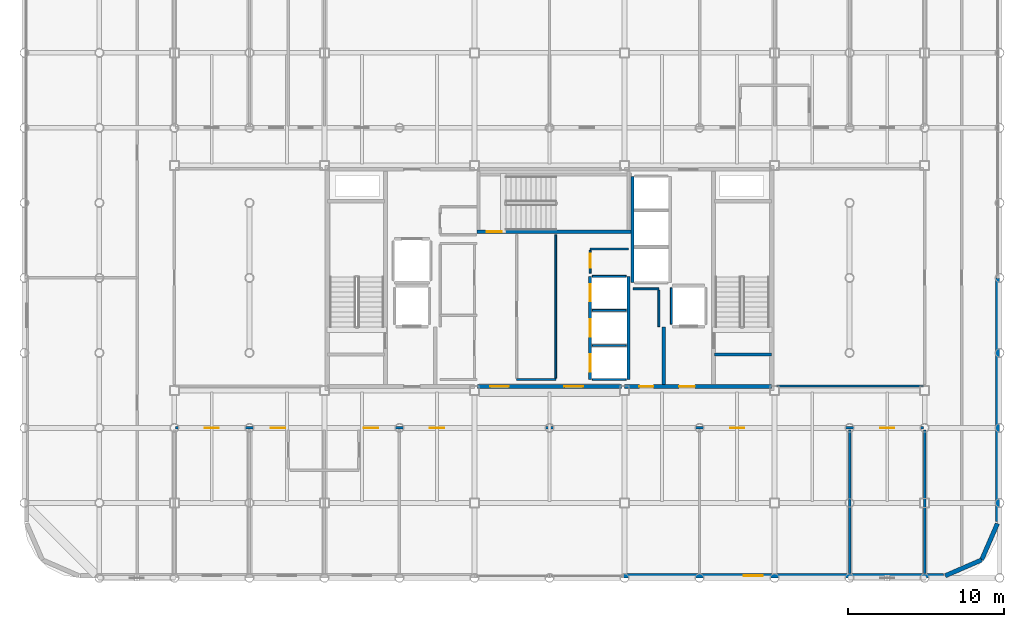
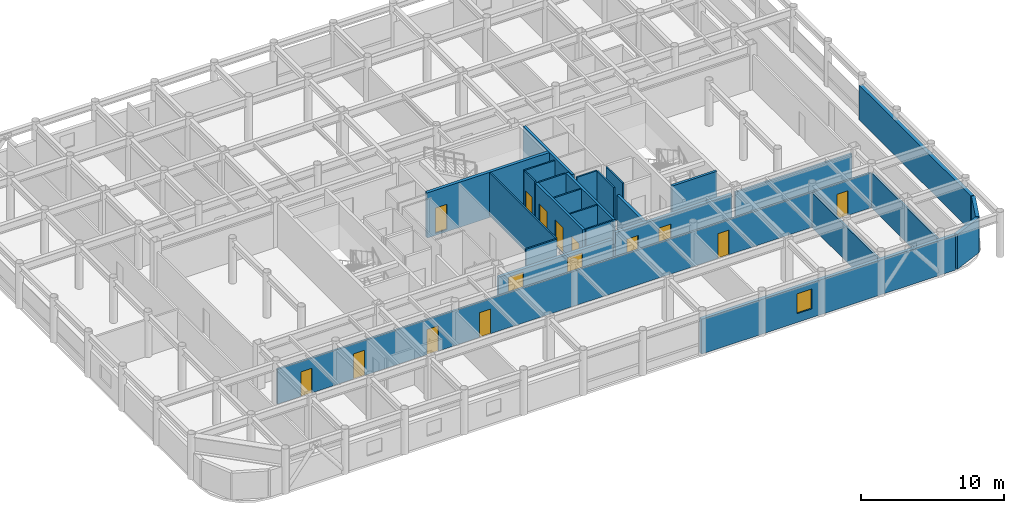
# One storey, part 19 of 22: 27 walls, 15 doors, 1 window, 16 openings.
"""IFC4 building model written with IfcOpenShell, lengths in metres."""

from ifc_helpers import new_model, si_unit, direction, frame, frame_2d, origin, place, context, subcontext, project, spatial, rectangle, extrude, material, layer, layer_set, type_object, element, fill, save


model = new_model("IFC4")

# Units and contexts
model_context = context("Model", 3, precision=1e-05, world=origin(), true_north=direction((0.0, 1.0)))
body_context = subcontext(model_context, "Body", "Model", "MODEL_VIEW")
ifc_project = project(units=[si_unit("LENGTHUNIT", "METRE"), si_unit("AREAUNIT", "SQUARE_METRE"), si_unit("VOLUMEUNIT", "CUBIC_METRE"), si_unit("PLANEANGLEUNIT", "RADIAN"), si_unit("MASSUNIT", "GRAM", prefix="KILO")], contexts=[model_context])

# Site, building, storey
site_placement = place(None, origin())
site = spatial("IfcSite", under=ifc_project, at=site_placement, CompositionType="ELEMENT")
building_placement = place(site_placement, origin())
building = spatial("IfcBuilding", under=site, at=building_placement, Name="Kallvorn Hotel Tower", CompositionType="ELEMENT")
storey_placement = place(building_placement, frame((0.0, 0.0, 264.64990234375)))
storey = spatial("IfcBuildingStorey", under=building, at=storey_placement, Name="L66", CompositionType="ELEMENT", Elevation=264.64990234375)

# Wall, openings, doors
ifc_material_1 = material(Name="Fire-rated double-layer acoustic gypsum drywall EI 60")
ifc_layer_1 = layer(ifc_material_1, 0.159912109375)
ifc_layer_set_1 = layer_set([ifc_layer_1], Name="WL_DEMISE_160")
wall_type_1 = type_object("IfcWallType", Name="WL_DEMISE_160", PredefinedType="PARTITIONING", material=ifc_layer_set_1)
wall_1_placement = place(storey_placement, frame((-23.919921875, -9.60009765625, 0.0), z_axis=(0.0, 0.0, 1.0), x_axis=(1.0, 0.0, 0.0)))
wall_1 = element("IfcWall", 1, at=wall_1_placement, inside=storey, type_object=wall_type_1, Name="L66 Suite 6601 Superior Twin Room Partition", PredefinedType="PARTITIONING", context=body_context, shape_type="SweptSolid", body=[
    extrude(rectangle(XDim=47.83984375, YDim=0.159912109375, at=frame_2d((23.919921875, 0.0))), origin(), (0.0, 0.0, 1.0), 2.97021484375),
])
opening_1_placement = place(wall_1_placement, frame((1.8701171875, 0.0, 0.0)))
opening_1 = element("IfcOpeningElement", 2, at=opening_1_placement, cuts=wall_1, Name="Opening SVD1", PredefinedType="OPENING", context=body_context, shape_type="SweptSolid", body=[
    extrude(rectangle(XDim=0.89990234375, YDim=2.10009765625, at=frame_2d((0.449951171875, 1.050048828125))), frame((0.0, 0.094970703125, 0.0), z_axis=(0.0, -1.0, 0.0), x_axis=(1.0, 0.0, 0.0)), (0.0, 0.0, 1.0), 0.18994140625),
])
opening_2_placement = place(wall_1_placement, frame((45.070068359375, 0.0, 0.0)))
opening_2 = element("IfcOpeningElement", 3, at=opening_2_placement, cuts=wall_1, Name="Opening SVD1", PredefinedType="OPENING", context=body_context, shape_type="SweptSolid", body=[
    extrude(rectangle(XDim=0.89990234375, YDim=2.10009765625, at=frame_2d((0.449951171875, 1.050048828125))), frame((0.0, 0.094970703125, 0.0), z_axis=(0.0, -1.0, 0.0), x_axis=(1.0, 0.0, 0.0)), (0.0, 0.0, 1.0), 0.18994140625),
])
opening_3_placement = place(wall_1_placement, frame((6.090087890625, 0.0, 0.0)))
opening_3 = element("IfcOpeningElement", 4, at=opening_3_placement, cuts=wall_1, Name="Opening GD1", PredefinedType="OPENING", context=body_context, shape_type="SweptSolid", body=[
    extrude(rectangle(XDim=0.919921875, YDim=2.14990234375, at=frame_2d((0.4599609375, 1.074951171875))), frame((0.0, 0.094970703125, 0.0), z_axis=(0.0, -1.0, 0.0), x_axis=(1.0, 0.0, 0.0)), (0.0, 0.0, 1.0), 0.18994140625),
])
opening_4_placement = place(wall_1_placement, frame((12.030029296875, 0.0, 0.0)))
opening_4 = element("IfcOpeningElement", 5, at=opening_4_placement, cuts=wall_1, Name="Opening GD1", PredefinedType="OPENING", context=body_context, shape_type="SweptSolid", body=[
    extrude(rectangle(XDim=0.919921875, YDim=2.14990234375, at=frame_2d((0.4599609375, 1.074951171875))), frame((0.0, 0.094970703125, 0.0), z_axis=(0.0, -1.0, 0.0), x_axis=(1.0, 0.0, 0.0)), (0.0, 0.0, 1.0), 0.18994140625),
])
opening_5_placement = place(wall_1_placement, frame((16.27001953125, 0.0, 0.0)))
opening_5 = element("IfcOpeningElement", 6, at=opening_5_placement, cuts=wall_1, Name="Opening SVD1", PredefinedType="OPENING", context=body_context, shape_type="SweptSolid", body=[
    extrude(rectangle(XDim=0.89990234375, YDim=2.10009765625, at=frame_2d((0.449951171875, 1.050048828125))), frame((0.0, 0.094970703125, 0.0), z_axis=(0.0, -1.0, 0.0), x_axis=(1.0, 0.0, 0.0)), (0.0, 0.0, 1.0), 0.18994140625),
])
opening_6_placement = place(wall_1_placement, frame((35.469970703125, 0.0, 0.0)))
opening_6 = element("IfcOpeningElement", 7, at=opening_6_placement, cuts=wall_1, Name="Opening SVD1", PredefinedType="OPENING", context=body_context, shape_type="SweptSolid", body=[
    extrude(rectangle(XDim=0.89990234375, YDim=2.10009765625, at=frame_2d((0.449951171875, 1.050048828125))), frame((0.0, 0.094970703125, 0.0), z_axis=(0.0, -1.0, 0.0), x_axis=(1.0, 0.0, 0.0)), (0.0, 0.0, 1.0), 0.18994140625),
])
ifc_material_2 = material(Name="Solid-core walnut veneer fire-rated timber door leaf", Category="wood")
door_type_1 = type_object("IfcDoorType", Name="DR_GUEST_920x2150", OperationType="NOTDEFINED", PredefinedType="DOOR", material=ifc_material_2)
door_1_placement = place(opening_3_placement, origin())
door_1 = element("IfcDoor", 8, at=door_1_placement, inside=storey, type_object=door_type_1, Name="L66 Suite 6601 Superior Twin Room Door", OperationType="SINGLE_SWING_LEFT", OverallHeight=2.14990234375, OverallWidth=0.919921875, PredefinedType="DOOR", context=body_context, shape_type="SweptSolid", body=[
    extrude(rectangle(XDim=0.919921875, YDim=2.14990234375, at=frame_2d((0.4599609375, 1.074951171875))), frame((0.0, 0.02490234375, 0.0), z_axis=(0.0, -1.0, 0.0), x_axis=(1.0, 0.0, 0.0)), (0.0, 0.0, 1.0), 0.050048828125),
])
fill(opening_3, door_1)
door_2_placement = place(opening_4_placement, origin())
door_2 = element("IfcDoor", 9, at=door_2_placement, inside=storey, type_object=door_type_1, Name="L66 Suite 6602 Superior Twin Room Door", OperationType="SINGLE_SWING_RIGHT", OverallHeight=2.14990234375, OverallWidth=0.919921875, PredefinedType="DOOR", context=body_context, shape_type="SweptSolid", body=[
    extrude(rectangle(XDim=0.919921875, YDim=2.14990234375, at=frame_2d((0.4599609375, 1.074951171875))), frame((0.0, 0.02490234375, 0.0), z_axis=(0.0, -1.0, 0.0), x_axis=(1.0, 0.0, 0.0)), (0.0, 0.0, 1.0), 0.050048828125),
])
fill(opening_4, door_2)
ifc_material_3 = material(Name="Galvanised painted steel fire-rated door assembly", Category="steel")
door_type_2 = type_object("IfcDoorType", Name="DR_SERV_900x2100", OperationType="NOTDEFINED", PredefinedType="DOOR", material=ifc_material_3)
door_3_placement = place(opening_1_placement, origin())
door_3 = element("IfcDoor", 10, at=door_3_placement, inside=storey, type_object=door_type_2, Name="L66 L66 High-Zone South-West Tea Bar Door", OperationType="SINGLE_SWING_RIGHT", OverallHeight=2.10009765625, OverallWidth=0.89990234375, PredefinedType="DOOR", context=body_context, shape_type="SweptSolid", body=[
    extrude(rectangle(XDim=0.89990234375, YDim=2.10009765625, at=frame_2d((0.449951171875, 1.050048828125))), frame((0.0, 0.02490234375, 0.0), z_axis=(0.0, -1.0, 0.0), x_axis=(1.0, 0.0, 0.0)), (0.0, 0.0, 1.0), 0.050048828125),
])
fill(opening_1, door_3)
door_4_placement = place(opening_2_placement, origin())
door_4 = element("IfcDoor", 11, at=door_4_placement, inside=storey, type_object=door_type_2, Name="L66 L66 High-Zone South-East Wine Bar Door", OperationType="SINGLE_SWING_LEFT", OverallHeight=2.10009765625, OverallWidth=0.89990234375, PredefinedType="DOOR", context=body_context, shape_type="SweptSolid", body=[
    extrude(rectangle(XDim=0.89990234375, YDim=2.10009765625, at=frame_2d((0.449951171875, 1.050048828125))), frame((0.0, 0.02490234375, 0.0), z_axis=(0.0, -1.0, 0.0), x_axis=(1.0, 0.0, 0.0)), (0.0, 0.0, 1.0), 0.050048828125),
])
fill(opening_2, door_4)
door_5_placement = place(opening_5_placement, origin())
door_5 = element("IfcDoor", 12, at=door_5_placement, inside=storey, type_object=door_type_2, Name="L66 L66 Restaurant Culinary Catering Kitchen 3 Door", OperationType="SINGLE_SWING_LEFT", OverallHeight=2.10009765625, OverallWidth=0.89990234375, PredefinedType="DOOR", context=body_context, shape_type="SweptSolid", body=[
    extrude(rectangle(XDim=0.89990234375, YDim=2.10009765625, at=frame_2d((0.449951171875, 1.050048828125))), frame((0.0, 0.02490234375, 0.0), z_axis=(0.0, -1.0, 0.0), x_axis=(1.0, 0.0, 0.0)), (0.0, 0.0, 1.0), 0.050048828125),
])
fill(opening_5, door_5)
door_6_placement = place(opening_6_placement, origin())
door_6 = element("IfcDoor", 13, at=door_6_placement, inside=storey, type_object=door_type_2, Name="L66 L66 Executive Collectors Library Club 4 Door", OperationType="SINGLE_SWING_RIGHT", OverallHeight=2.10009765625, OverallWidth=0.89990234375, PredefinedType="DOOR", context=body_context, shape_type="SweptSolid", body=[
    extrude(rectangle(XDim=0.89990234375, YDim=2.10009765625, at=frame_2d((0.449951171875, 1.050048828125))), frame((0.0, 0.02490234375, 0.0), z_axis=(0.0, -1.0, 0.0), x_axis=(1.0, 0.0, 0.0)), (0.0, 0.0, 1.0), 0.050048828125),
])
fill(opening_6, door_6)

# Walls
ifc_material_4 = material(Name="Precast basalt-clad insulated concrete wall C40/50", Category="masonry")
ifc_layer_2 = layer(ifc_material_4, 0.280029296875)
ifc_layer_set_2 = layer_set([ifc_layer_2], Name="WL_EXT_LOGGIA_280")
wall_type_2 = type_object("IfcWallType", Name="WL_EXT_LOGGIA_280", PredefinedType="SOLIDWALL", material=ifc_layer_set_2)
wall_2_placement = place(storey_placement, frame((25.32080078125, -19.057861328125, 0.0), z_axis=(0.0, 0.0, 1.0), x_axis=(0.917060872934, 0.398747232384, 0.0)))
element("IfcWall", 14, at=wall_2_placement, inside=storey, type_object=wall_type_2, Name="L66 Rounded Corner Exterior Wall SE1", PredefinedType="SOLIDWALL", context=body_context, shape_type="SweptSolid", body=[
    extrude(rectangle(XDim=2.5361328125, YDim=0.280029296875, at=frame_2d((1.26806640625, 0.0))), origin(), (0.0, 0.0, 1.0), 2.97021484375),
])
wall_3_placement = place(storey_placement, frame((27.646484375, -18.046630859375, 0.0), z_axis=(0.0, 0.0, 1.0), x_axis=(0.398792985289, 0.917040977756, 0.0)))
element("IfcWall", 15, at=wall_3_placement, inside=storey, type_object=wall_type_2, Name="L66 Rounded Corner Exterior Wall SE2", PredefinedType="SOLIDWALL", context=body_context, shape_type="SweptSolid", body=[
    extrude(rectangle(XDim=2.536376953125, YDim=0.280029296875, at=frame_2d((1.26806640625, 0.0))), origin(), (0.0, 0.0, 1.0), 3.02001953125),
])

# Wall, opening, window
wall_4_placement = place(storey_placement, frame((4.75, -19.06005859375, 0.0), z_axis=(0.0, 0.0, 1.0), x_axis=(1.0, 0.0, 0.0)))
wall_4 = element("IfcWall", 16, at=wall_4_placement, inside=storey, type_object=wall_type_2, Name="L66 Exterior Envelope Wall EW-L66-SE", PredefinedType="SOLIDWALL", context=body_context, shape_type="SweptSolid", body=[
    extrude(rectangle(XDim=20.449951171875, YDim=0.280029296875, at=frame_2d((10.22509765625, 0.0))), origin(), (0.0, 0.0, 1.0), 2.97021484375),
])
opening_7_placement = place(wall_4_placement, frame((7.68408203125, 0.0, 0.75)))
opening_7 = element("IfcOpeningElement", 17, at=opening_7_placement, cuts=wall_4, Name="Opening W06", PredefinedType="OPENING", context=body_context, shape_type="SweptSolid", body=[
    extrude(rectangle(XDim=1.199951171875, YDim=1.699951171875, at=frame_2d((0.60009765625, 0.85009765625))), frame((0.0, 0.155029296875, 0.0), z_axis=(0.0, -1.0, 0.0), x_axis=(1.0, 0.0, 0.0)), (0.0, 0.0, 1.0), 0.31005859375),
])
ifc_material_5 = material(Name="Triple-glazed low-e acoustic solar-control dark glass", Category="glass")
window_type = type_object("IfcWindowType", Name="WN_HTL_1200x1700", PartitioningType="SINGLE_PANEL", PredefinedType="WINDOW", material=ifc_material_5)
window_placement = place(opening_7_placement, origin())
window = element("IfcWindow", 18, at=window_placement, inside=storey, type_object=window_type, Name="L66 Guestroom Exterior Window 06", OverallHeight=1.699951171875, OverallWidth=1.199951171875, PartitioningType="SINGLE_PANEL", PredefinedType="WINDOW", context=body_context, shape_type="SweptSolid", body=[
    extrude(rectangle(XDim=1.199951171875, YDim=1.699951171875, at=frame_2d((0.60009765625, 0.85009765625))), frame((0.0, 0.030029296875, 0.0), z_axis=(0.0, -1.0, 0.0), x_axis=(1.0, 0.0, 0.0)), (0.0, 0.0, 1.0), 0.06005859375),
])
fill(opening_7, window)

# Walls
wall_5_placement = place(storey_placement, frame((28.659912109375, -15.60009765625, 0.0), z_axis=(0.0, 0.0, 1.0), x_axis=(0.0, 1.0, 0.0)))
element("IfcWall", 19, at=wall_5_placement, inside=storey, type_object=wall_type_2, Name="L66 Exterior Envelope Wall EW-L66-ES", PredefinedType="SOLIDWALL", context=body_context, shape_type="SweptSolid", body=[
    extrude(rectangle(XDim=15.580078125, YDim=0.280029296875, at=frame_2d((7.7900390625, 0.0))), origin(), (0.0, 0.0, 1.0), 2.97021484375),
])
ifc_material_6 = material(Name="Concrete C40/50", Category="concrete")
ifc_layer_3 = layer(ifc_material_6, 0.219970703125)
ifc_layer_set_3 = layer_set([ifc_layer_3], Name="WL_FFL_220")
wall_type_3 = type_object("IfcWallType", Name="WL_FFL_220", PredefinedType="SOLIDWALL", material=ifc_layer_set_3)
wall_6_placement = place(storey_placement, frame((7.300048828125, -6.820068359375, 0.0), z_axis=(0.0, 0.0, 1.0), x_axis=(0.0, 1.0, 0.0)))
element("IfcWall", 20, at=wall_6_placement, inside=storey, type_object=wall_type_3, Name="L66 Firefighting Lobby East Divider Wall", PredefinedType="SOLIDWALL", context=body_context, shape_type="SweptSolid", body=[
    extrude(rectangle(XDim=3.670166015625, YDim=0.219970703125, at=frame_2d((1.8349609375, 0.0))), origin(), (0.0, 0.0, 1.0), 2.97021484375),
])
ifc_material_7 = material(Name="Concrete C40/50", Category="concrete")
ifc_layer_4 = layer(ifc_material_7, 0.199951171875)
ifc_layer_set_4 = layer_set([ifc_layer_4], Name="WL_HOIST_200")
wall_type_4 = type_object("IfcWallType", Name="WL_HOIST_200", PredefinedType="SOLIDWALL", material=ifc_layer_set_4)
wall_7_placement = place(storey_placement, frame((10.550048828125, -4.89990234375, -0.179931640625), z_axis=(0.0, 0.0, 1.0), x_axis=(1.0, 0.0, 0.0)))
element("IfcWall", 21, at=wall_7_placement, inside=storey, type_object=wall_type_4, Name="L66 Stair ST2 South Wall", PredefinedType="SOLIDWALL", context=body_context, shape_type="SweptSolid", body=[
    extrude(rectangle(XDim=3.64990234375, YDim=0.199951171875, at=frame_2d((1.824951171875, 0.0))), origin(), (0.0, 0.0, 1.0), 3.85009765625),
])

# Wall, openings, doors
wall_8_placement = place(storey_placement, frame((2.60009765625, -6.5, 0.0), z_axis=(0.0, 0.0, 1.0), x_axis=(0.0, 1.0, 0.0)))
wall_8 = element("IfcWall", 22, at=wall_8_placement, inside=storey, type_object=wall_type_4, Name="L66 Lift Bank B3A Landing Wall", PredefinedType="SOLIDWALL", context=body_context, shape_type="SweptSolid", body=[
    extrude(rectangle(XDim=6.60009765625, YDim=0.199951171875, at=frame_2d((3.300048828125, 0.0))), origin(), (0.0, 0.0, 1.0), 3.670166015625),
])
opening_8_placement = place(wall_8_placement, frame((0.5, 0.0, 0.0)))
opening_8 = element("IfcOpeningElement", 23, at=opening_8_placement, cuts=wall_8, Name="Opening LD-PL-09", PredefinedType="OPENING", context=body_context, shape_type="SweptSolid", body=[
    extrude(rectangle(XDim=1.10009765625, YDim=2.199951171875, at=frame_2d((0.550048828125, 1.10009765625))), frame((0.0, 0.114990234375, 0.0), z_axis=(0.0, -1.0, 0.0), x_axis=(1.0, 0.0, 0.0)), (0.0, 0.0, 1.0), 0.22998046875),
])
opening_9_placement = place(wall_8_placement, frame((2.75, 0.0, 0.0)))
opening_9 = element("IfcOpeningElement", 24, at=opening_9_placement, cuts=wall_8, Name="Opening LD-PL-10", PredefinedType="OPENING", context=body_context, shape_type="SweptSolid", body=[
    extrude(rectangle(XDim=1.10009765625, YDim=2.199951171875, at=frame_2d((0.550048828125, 1.10009765625))), frame((0.0, 0.114990234375, 0.0), z_axis=(0.0, -1.0, 0.0), x_axis=(1.0, 0.0, 0.0)), (0.0, 0.0, 1.0), 0.22998046875),
])
opening_10_placement = place(wall_8_placement, frame((5.0, 0.0, 0.0)))
opening_10 = element("IfcOpeningElement", 25, at=opening_10_placement, cuts=wall_8, Name="Opening LD-PL-11", PredefinedType="OPENING", context=body_context, shape_type="SweptSolid", body=[
    extrude(rectangle(XDim=1.10009765625, YDim=2.199951171875, at=frame_2d((0.550048828125, 1.10009765625))), frame((0.0, 0.114990234375, 0.0), z_axis=(0.0, -1.0, 0.0), x_axis=(1.0, 0.0, 0.0)), (0.0, 0.0, 1.0), 0.22998046875),
])
ifc_material_8 = material(Name="Brushed stainless-steel automatic sliding lift landing door", Category="steel")
door_type_3 = type_object("IfcDoorType", Name="LD_PASS_1100x2200", OperationType="SLIDING_TO_LEFT", PredefinedType="DOOR", material=ifc_material_8)
door_7_placement = place(opening_8_placement, origin())
door_7 = element("IfcDoor", 26, at=door_7_placement, inside=storey, type_object=door_type_3, Name="L66 Lift Landing Sliding Door LD-PL-09", OperationType="SLIDING_TO_LEFT", OverallHeight=2.199951171875, OverallWidth=1.10009765625, PredefinedType="DOOR", context=body_context, shape_type="SweptSolid", body=[
    extrude(rectangle(XDim=1.10009765625, YDim=2.199951171875, at=frame_2d((0.550048828125, 1.10009765625))), frame((0.0, 0.02490234375, 0.0), z_axis=(0.0, -1.0, 0.0), x_axis=(1.0, 0.0, 0.0)), (0.0, 0.0, 1.0), 0.050048828125),
])
fill(opening_8, door_7)
door_8_placement = place(opening_9_placement, origin())
door_8 = element("IfcDoor", 27, at=door_8_placement, inside=storey, type_object=door_type_3, Name="L66 Lift Landing Sliding Door LD-PL-10", OperationType="SLIDING_TO_LEFT", OverallHeight=2.199951171875, OverallWidth=1.10009765625, PredefinedType="DOOR", context=body_context, shape_type="SweptSolid", body=[
    extrude(rectangle(XDim=1.10009765625, YDim=2.199951171875, at=frame_2d((0.550048828125, 1.10009765625))), frame((0.0, 0.02490234375, 0.0), z_axis=(0.0, -1.0, 0.0), x_axis=(1.0, 0.0, 0.0)), (0.0, 0.0, 1.0), 0.050048828125),
])
fill(opening_9, door_8)
door_9_placement = place(opening_10_placement, origin())
door_9 = element("IfcDoor", 28, at=door_9_placement, inside=storey, type_object=door_type_3, Name="L66 Lift Landing Sliding Door LD-PL-11", OperationType="SLIDING_TO_LEFT", OverallHeight=2.199951171875, OverallWidth=1.10009765625, PredefinedType="DOOR", context=body_context, shape_type="SweptSolid", body=[
    extrude(rectangle(XDim=1.10009765625, YDim=2.199951171875, at=frame_2d((0.550048828125, 1.10009765625))), frame((0.0, 0.02490234375, 0.0), z_axis=(0.0, -1.0, 0.0), x_axis=(1.0, 0.0, 0.0)), (0.0, 0.0, 1.0), 0.050048828125),
])
fill(opening_10, door_9)

# Walls
wall_9_placement = place(storey_placement, frame((5.050048828125, -6.5, 0.0), z_axis=(0.0, 0.0, 1.0), x_axis=(0.0, 1.0, 0.0)))
element("IfcWall", 29, at=wall_9_placement, inside=storey, type_object=wall_type_4, Name="L66 Lift Bank B3A Rear Shaft Wall", PredefinedType="SOLIDWALL", context=body_context, shape_type="SweptSolid", body=[
    extrude(rectangle(XDim=6.60009765625, YDim=0.199951171875, at=frame_2d((3.300048828125, 0.0))), origin(), (0.0, 0.0, 1.0), 3.670166015625),
])
wall_10_placement = place(storey_placement, frame((5.300048828125, -0.300048828125, 0.0), z_axis=(0.0, 0.0, 1.0), x_axis=(0.0, 1.0, 0.0)))
element("IfcWall", 30, at=wall_10_placement, inside=storey, type_object=wall_type_4, Name="L66 Lift Bank OBS Rear Shaft Wall", PredefinedType="SOLIDWALL", context=body_context, shape_type="SweptSolid", body=[
    extrude(rectangle(XDim=6.800048828125, YDim=0.199951171875, at=frame_2d((3.39990234375, 0.0))), origin(), (0.0, 0.0, 1.0), 3.670166015625),
])
ifc_material_9 = material(Name="Fire-rated double-layer acoustic gypsum drywall EI 60")
ifc_layer_5 = layer(ifc_material_9, 0.1201171875)
ifc_layer_set_5 = layer_set([ifc_layer_5], Name="WL_INT_120")
wall_type_5 = type_object("IfcWallType", Name="WL_INT_120", PredefinedType="PARTITIONING", material=ifc_layer_set_5)
for number, where, z_axis, x_axis, name in (
    (31, (2.739990234375, -6.5, 0.0), (0.0, 0.0, 1.0), (1.0, 0.0, 0.0), "L66 Lift Bank B3A South Closure Wall"),
    (32, (2.739990234375, -4.324951171875, 0.0), (0.0, 0.0, 1.0), (1.0, 0.0, 0.0), "L66 PL-09 Hoistway Divider"),
    (33, (2.739990234375, -2.074951171875, 0.0), (0.0, 0.0, 1.0), (1.0, 0.0, 0.0), "L66 PL-10 Hoistway Divider"),
    (34, (2.739990234375, 0.10009765625, 0.0), (0.0, 0.0, 1.0), (1.0, 0.0, 0.0), "L66 PL-11 Hoistway Divider"),
):
    element("IfcWall", number, at=place(storey_placement, frame(where, z_axis=z_axis, x_axis=x_axis)), inside=storey, type_object=wall_type_5, Name=name, PredefinedType="PARTITIONING", context=body_context, shape_type="SweptSolid", body=[
        extrude(rectangle(XDim=2.169921875, YDim=0.1201171875, at=frame_2d((1.0849609375, 0.0))), origin(), (0.0, 0.0, 1.0), 3.670166015625),
    ])
wall_11_placement = place(storey_placement, frame((7.800048828125, -2.9599609375, 0.0), z_axis=(0.0, 0.0, 1.0), x_axis=(0.0, 1.0, 0.0)))
element("IfcWall", 35, at=wall_11_placement, inside=storey, type_object=wall_type_5, Name="L66 FL-2 West Shaft Wall", PredefinedType="PARTITIONING", context=body_context, shape_type="SweptSolid", body=[
    extrude(rectangle(XDim=2.320068359375, YDim=0.1201171875, at=frame_2d((1.16015625, 0.0))), origin(), (0.0, 0.0, 1.0), 3.670166015625),
])
wall_12_placement = place(storey_placement, frame((-2.10009765625, -6.5, 0.0), z_axis=(0.0, 0.0, 1.0), x_axis=(1.0, 0.0, 0.0)))
element("IfcWall", 36, at=wall_12_placement, inside=storey, type_object=wall_type_5, Name="L66 Altitude Executive Pantry and Ice Room Partition", PredefinedType="PARTITIONING", context=body_context, shape_type="SweptSolid", body=[
    extrude(rectangle(XDim=2.5, YDim=0.1201171875, at=frame_2d((1.25, 0.0))), origin(), (0.0, 0.0, 1.0), 3.670166015625),
])
wall_13_placement = place(storey_placement, frame((5.35009765625, -0.699951171875, 0.0), z_axis=(0.0, 0.0, 1.0), x_axis=(1.0, 0.0, 0.0)))
element("IfcWall", 37, at=wall_13_placement, inside=storey, type_object=wall_type_5, Name="L66 Core Utility and Meter Room Partition", PredefinedType="PARTITIONING", context=body_context, shape_type="SweptSolid", body=[
    extrude(rectangle(XDim=1.64990234375, YDim=0.1201171875, at=frame_2d((0.824951171875, 0.0))), origin(), (0.0, 0.0, 1.0), 3.670166015625),
])
wall_14_placement = place(storey_placement, frame((2.60009765625, 1.85009765625, 0.0), z_axis=(0.0, 0.0, 1.0), x_axis=(1.0, 0.0, 0.0)))
element("IfcWall", 38, at=wall_14_placement, inside=storey, type_object=wall_type_5, Name="L66 East Core Ice Pantry Partition", PredefinedType="PARTITIONING", context=body_context, shape_type="SweptSolid", body=[
    extrude(rectangle(XDim=2.449951171875, YDim=0.1201171875, at=frame_2d((1.22509765625, 0.0))), origin(), (0.0, 0.0, 1.0), 3.670166015625),
])
wall_15_placement = place(storey_placement, frame((0.39990234375, -6.4150390625, 0.0), z_axis=(0.0, 0.0, 1.0), x_axis=(0.0, 1.0, 0.0)))
element("IfcWall", 39, at=wall_15_placement, inside=storey, type_object=wall_type_5, Name="L66 Altitude Executive Pantry and Ice Room Partition", PredefinedType="PARTITIONING", context=body_context, shape_type="SweptSolid", body=[
    extrude(rectangle(XDim=9.1650390625, YDim=0.1201171875, at=frame_2d((4.58251953125, 0.0))), origin(), (0.0, 0.0, 1.0), 3.670166015625),
])

# Wall, opening, door
wall_16_placement = place(storey_placement, frame((2.60009765625, 0.300048828125, 0.0), z_axis=(0.0, 0.0, 1.0), x_axis=(0.0, 1.0, 0.0)))
wall_16 = element("IfcWall", 40, at=wall_16_placement, inside=storey, type_object=wall_type_5, Name="L66 East Core Ice Pantry Partition", PredefinedType="PARTITIONING", context=body_context, shape_type="SweptSolid", body=[
    extrude(rectangle(XDim=1.46484375, YDim=0.1201171875, at=frame_2d((0.732421875, 0.0))), origin(), (0.0, 0.0, 1.0), 3.670166015625),
])
opening_11_placement = place(wall_16_placement, frame((0.344970703125, 0.0, 0.0)))
opening_11 = element("IfcOpeningElement", 41, at=opening_11_placement, cuts=wall_16, Name="Opening SVD1", PredefinedType="OPENING", context=body_context, shape_type="SweptSolid", body=[
    extrude(rectangle(XDim=0.89990234375, YDim=2.10009765625, at=frame_2d((0.449951171875, 1.050048828125))), frame((0.0, 0.074951171875, 0.0), z_axis=(0.0, -1.0, 0.0), x_axis=(1.0, 0.0, 0.0)), (0.0, 0.0, 1.0), 0.150146484375),
])
door_10_placement = place(opening_11_placement, origin())
door_10 = element("IfcDoor", 42, at=door_10_placement, inside=storey, type_object=door_type_2, Name="L66 East Core Ice Pantry Door", OperationType="SINGLE_SWING_RIGHT", OverallHeight=2.10009765625, OverallWidth=0.89990234375, PredefinedType="DOOR", context=body_context, shape_type="SweptSolid", body=[
    extrude(rectangle(XDim=0.89990234375, YDim=2.10009765625, at=frame_2d((0.449951171875, 1.050048828125))), frame((0.0, 0.02490234375, 0.0), z_axis=(0.0, -1.0, 0.0), x_axis=(1.0, 0.0, 0.0)), (0.0, 0.0, 1.0), 0.050048828125),
])
fill(opening_11, door_10)

# Walls
wall_17_placement = place(storey_placement, frame((7.0, -3.110107421875, 0.0), z_axis=(0.0, 0.0, 1.0), x_axis=(0.0, 1.0, 0.0)))
element("IfcWall", 43, at=wall_17_placement, inside=storey, type_object=wall_type_5, Name="L66 Core Utility and Meter Room Partition", PredefinedType="PARTITIONING", context=body_context, shape_type="SweptSolid", body=[
    extrude(rectangle(XDim=2.3251953125, YDim=0.1201171875, at=frame_2d((1.16259765625, 0.0))), origin(), (0.0, 0.0, 1.0), 3.670166015625),
])
ifc_material_10 = material(Name="Fire-rated double-layer acoustic gypsum drywall EI 60")
ifc_layer_6 = layer(ifc_material_10, 0.14990234375)
ifc_layer_set_6 = layer_set([ifc_layer_6], Name="WL_PART_150")
wall_type_6 = type_object("IfcWallType", Name="WL_PART_150", PredefinedType="PARTITIONING", material=ifc_layer_set_6)
wall_18_placement = place(storey_placement, frame((14.52001953125, -6.919921875, 0.0), z_axis=(0.0, 0.0, 1.0), x_axis=(1.0, 0.0, 0.0)))
element("IfcWall", 44, at=wall_18_placement, inside=storey, type_object=wall_type_6, Name="L66 L66 High-Zone Inner East Club Gallery Partition", PredefinedType="PARTITIONING", context=body_context, shape_type="SweptSolid", body=[
    extrude(rectangle(XDim=9.39990234375, YDim=0.14990234375, at=frame_2d((4.699951171875, 0.0))), origin(), (0.0, 0.0, 1.0), 2.97021484375),
])
for number, where, z_axis, x_axis, name in (
    (45, (19.199951171875, -18.909912109375, 0.0), (0.0, 0.0, 1.0), (0.0, 1.0, 0.0), "L66 L66 Executive Collectors Library Club 4 Partition"),
    (46, (24.0, -18.909912109375, 0.0), (0.0, 0.0, 1.0), (0.0, 1.0, 0.0), "L66 L66 High-Zone South-East Wine Bar Partition"),
):
    element("IfcWall", number, at=place(storey_placement, frame(where, z_axis=z_axis, x_axis=x_axis)), inside=storey, type_object=wall_type_6, Name=name, PredefinedType="PARTITIONING", context=body_context, shape_type="SweptSolid", body=[
        extrude(rectangle(XDim=9.18994140625, YDim=0.14990234375, at=frame_2d((4.594970703125, 0.0))), origin(), (0.0, 0.0, 1.0), 2.97021484375),
    ])

# Wall, openings, doors
ifc_material_11 = material(Name="Concrete C40/50", Category="concrete")
ifc_layer_7 = layer(ifc_material_11, 0.25)
ifc_layer_set_7 = layer_set([ifc_layer_7], Name="WL_SHAFT_250")
wall_type_7 = type_object("IfcWallType", Name="WL_SHAFT_250", PredefinedType="SOLIDWALL", material=ifc_layer_set_7)
wall_19_placement = place(storey_placement, frame((-4.60009765625, -6.949951171875, 0.0), z_axis=(0.0, 0.0, 1.0), x_axis=(1.0, 0.0, 0.0)))
wall_19 = element("IfcWall", 47, at=wall_19_placement, inside=storey, type_object=wall_type_7, Name="L66 Core South-Central Wall", PredefinedType="SOLIDWALL", context=body_context, shape_type="SweptSolid", body=[
    extrude(rectangle(XDim=9.2001953125, YDim=0.25, at=frame_2d((4.60009765625, 0.0))), origin(), (0.0, 0.0, 1.0), 2.47021484375),
])
opening_12_placement = place(wall_19_placement, frame((0.800048828125, 0.0, 0.0)))
opening_12 = element("IfcOpeningElement", 48, at=opening_12_placement, cuts=wall_19, Name="Opening FD2", PredefinedType="OPENING", context=body_context, shape_type="SweptSolid", body=[
    extrude(rectangle(XDim=1.199951171875, YDim=2.199951171875, at=frame_2d((0.60009765625, 1.10009765625))), frame((0.0, 0.139892578125, 0.0), z_axis=(0.0, -1.0, 0.0), x_axis=(1.0, 0.0, 0.0)), (0.0, 0.0, 1.0), 0.280029296875),
])
opening_13_placement = place(wall_19_placement, frame((5.550048828125, 0.0, 0.0)))
opening_13 = element("IfcOpeningElement", 49, at=opening_13_placement, cuts=wall_19, Name="Opening FD2", PredefinedType="OPENING", context=body_context, shape_type="SweptSolid", body=[
    extrude(rectangle(XDim=1.199951171875, YDim=2.199951171875, at=frame_2d((0.60009765625, 1.10009765625))), frame((0.0, 0.139892578125, 0.0), z_axis=(0.0, -1.0, 0.0), x_axis=(1.0, 0.0, 0.0)), (0.0, 0.0, 1.0), 0.280029296875),
])
ifc_material_12 = material(Name="Galvanised painted steel fire-rated door assembly", Category="steel")
door_type_4 = type_object("IfcDoorType", Name="DR_LOBBY_1200x2200", OperationType="DOUBLE_DOOR_SINGLE_SWING", PredefinedType="DOOR", material=ifc_material_12)
door_11_placement = place(opening_12_placement, origin())
door_11 = element("IfcDoor", 50, at=door_11_placement, inside=storey, type_object=door_type_4, Name="L66 West Passenger Lift Lobby Door", OperationType="DOUBLE_DOOR_SINGLE_SWING", OverallHeight=2.199951171875, OverallWidth=1.199951171875, PredefinedType="DOOR", context=body_context, shape_type="SweptSolid", body=[
    extrude(rectangle(XDim=1.199951171875, YDim=2.199951171875, at=frame_2d((0.60009765625, 1.10009765625))), frame((0.0, 0.02490234375, 0.0), z_axis=(0.0, -1.0, 0.0), x_axis=(1.0, 0.0, 0.0)), (0.0, 0.0, 1.0), 0.050048828125),
])
fill(opening_12, door_11)
door_12_placement = place(opening_13_placement, origin())
door_12 = element("IfcDoor", 51, at=door_12_placement, inside=storey, type_object=door_type_4, Name="L66 East Passenger Lift Lobby Door", OperationType="DOUBLE_DOOR_SINGLE_SWING", OverallHeight=2.199951171875, OverallWidth=1.199951171875, PredefinedType="DOOR", context=body_context, shape_type="SweptSolid", body=[
    extrude(rectangle(XDim=1.199951171875, YDim=2.199951171875, at=frame_2d((0.60009765625, 1.10009765625))), frame((0.0, 0.02490234375, 0.0), z_axis=(0.0, -1.0, 0.0), x_axis=(1.0, 0.0, 0.0)), (0.0, 0.0, 1.0), 0.050048828125),
])
fill(opening_13, door_12)

wall_20_placement = place(storey_placement, frame((4.800048828125, -6.949951171875, 0.0), z_axis=(0.0, 0.0, 1.0), x_axis=(1.0, 0.0, 0.0)))
wall_20 = element("IfcWall", 52, at=wall_20_placement, inside=storey, type_object=wall_type_7, Name="L66 Core South-East Wall", PredefinedType="SOLIDWALL", context=body_context, shape_type="SweptSolid", body=[
    extrude(rectangle(XDim=9.39990234375, YDim=0.25, at=frame_2d((4.699951171875, 0.0))), origin(), (0.0, 0.0, 1.0), 2.97021484375),
])
opening_14_placement = place(wall_20_placement, frame((3.5, 0.0, 0.0)))
opening_14 = element("IfcOpeningElement", 53, at=opening_14_placement, cuts=wall_20, Name="Opening FD1", PredefinedType="OPENING", context=body_context, shape_type="SweptSolid", body=[
    extrude(rectangle(XDim=1.0, YDim=2.14990234375, at=frame_2d((0.5, 1.074951171875))), frame((0.0, 0.139892578125, 0.0), z_axis=(0.0, -1.0, 0.0), x_axis=(1.0, 0.0, 0.0)), (0.0, 0.0, 1.0), 0.280029296875),
])
opening_15_placement = place(wall_20_placement, frame((0.949951171875, 0.0, 0.0)))
opening_15 = element("IfcOpeningElement", 54, at=opening_15_placement, cuts=wall_20, Name="Opening SVD1", PredefinedType="OPENING", context=body_context, shape_type="SweptSolid", body=[
    extrude(rectangle(XDim=0.89990234375, YDim=2.10009765625, at=frame_2d((0.449951171875, 1.050048828125))), frame((0.0, 0.139892578125, 0.0), z_axis=(0.0, -1.0, 0.0), x_axis=(1.0, 0.0, 0.0)), (0.0, 0.0, 1.0), 0.280029296875),
])
ifc_material_13 = material(Name="Galvanised painted steel fire-rated door assembly", Category="steel")
door_type_5 = type_object("IfcDoorType", Name="DR_FFL_1000x2150", OperationType="NOTDEFINED", PredefinedType="DOOR", material=ifc_material_13)
door_13_placement = place(opening_14_placement, origin())
door_13 = element("IfcDoor", 55, at=door_13_placement, inside=storey, type_object=door_type_5, Name="L66 Firefighting Lobby East Door", OperationType="SINGLE_SWING_RIGHT", OverallHeight=2.14990234375, OverallWidth=1.0, PredefinedType="DOOR", context=body_context, shape_type="SweptSolid", body=[
    extrude(rectangle(XDim=1.0, YDim=2.14990234375, at=frame_2d((0.5, 1.074951171875))), frame((0.0, 0.02490234375, 0.0), z_axis=(0.0, -1.0, 0.0), x_axis=(1.0, 0.0, 0.0)), (0.0, 0.0, 1.0), 0.050048828125),
])
fill(opening_14, door_13)
door_14_placement = place(opening_15_placement, origin())
door_14 = element("IfcDoor", 56, at=door_14_placement, inside=storey, type_object=door_type_2, Name="L66 Core Utility and Meter Room Door", OperationType="SINGLE_SWING_LEFT", OverallHeight=2.10009765625, OverallWidth=0.89990234375, PredefinedType="DOOR", context=body_context, shape_type="SweptSolid", body=[
    extrude(rectangle(XDim=0.89990234375, YDim=2.10009765625, at=frame_2d((0.449951171875, 1.050048828125))), frame((0.0, 0.02490234375, 0.0), z_axis=(0.0, -1.0, 0.0), x_axis=(1.0, 0.0, 0.0)), (0.0, 0.0, 1.0), 0.050048828125),
])
fill(opening_15, door_14)

# Wall, opening, door
wall_21_placement = place(storey_placement, frame((-4.64990234375, 2.949951171875, -0.179931640625), z_axis=(0.0, 0.0, 1.0), x_axis=(1.0, 0.0, 0.0)))
wall_21 = element("IfcWall", 57, at=wall_21_placement, inside=storey, type_object=wall_type_7, Name="L66 Stair ST3 Shaft South Wall", PredefinedType="SOLIDWALL", context=body_context, shape_type="SweptSolid", body=[
    extrude(rectangle(XDim=9.89990234375, YDim=0.25, at=frame_2d((4.949951171875, 0.0))), origin(), (0.0, 0.0, 1.0), 3.85009765625),
])
opening_16_placement = place(wall_21_placement, frame((0.64990234375, 0.0, 0.179931640625)))
opening_16 = element("IfcOpeningElement", 58, at=opening_16_placement, cuts=wall_21, Name="Opening SD1", PredefinedType="OPENING", context=body_context, shape_type="SweptSolid", body=[
    extrude(rectangle(XDim=0.949951171875, YDim=2.14990234375, at=frame_2d((0.47509765625, 1.074951171875))), frame((0.0, 0.139892578125, 0.0), z_axis=(0.0, -1.0, 0.0), x_axis=(1.0, 0.0, 0.0)), (0.0, 0.0, 1.0), 0.280029296875),
])
ifc_material_14 = material(Name="Galvanised painted steel fire-rated door assembly", Category="steel")
door_type_6 = type_object("IfcDoorType", Name="DR_STAIR_950x2150", OperationType="NOTDEFINED", PredefinedType="DOOR", material=ifc_material_14)
door_15_placement = place(opening_16_placement, origin())
door_15 = element("IfcDoor", 59, at=door_15_placement, inside=storey, type_object=door_type_6, Name="L66 Exit Stair ST3 Fire Door", OperationType="SINGLE_SWING_RIGHT", OverallHeight=2.14990234375, OverallWidth=0.949951171875, PredefinedType="DOOR", context=body_context, shape_type="SweptSolid", body=[
    extrude(rectangle(XDim=0.949951171875, YDim=2.14990234375, at=frame_2d((0.47509765625, 1.074951171875))), frame((0.0, 0.02490234375, 0.0), z_axis=(0.0, -1.0, 0.0), x_axis=(1.0, 0.0, 0.0)), (0.0, 0.0, 1.0), 0.050048828125),
])
fill(opening_16, door_15)

save(model, "model.ifc")
